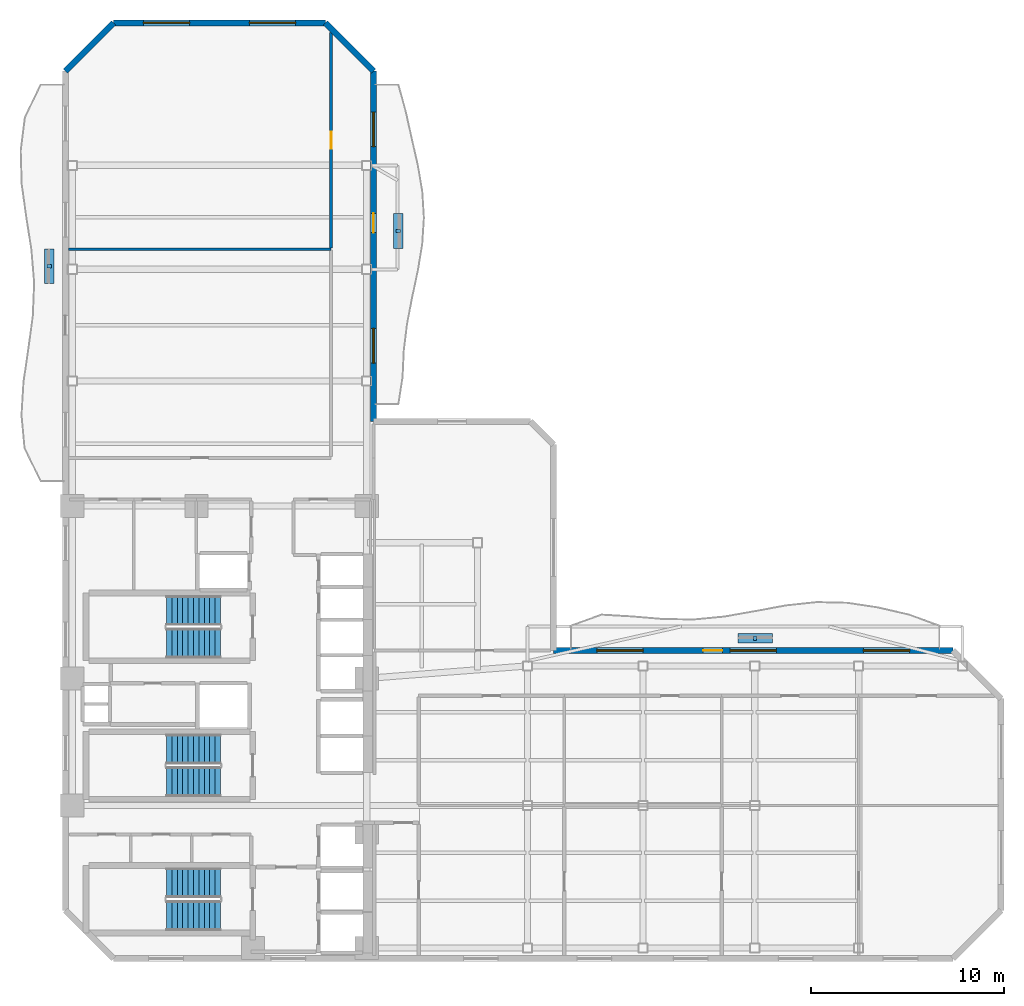
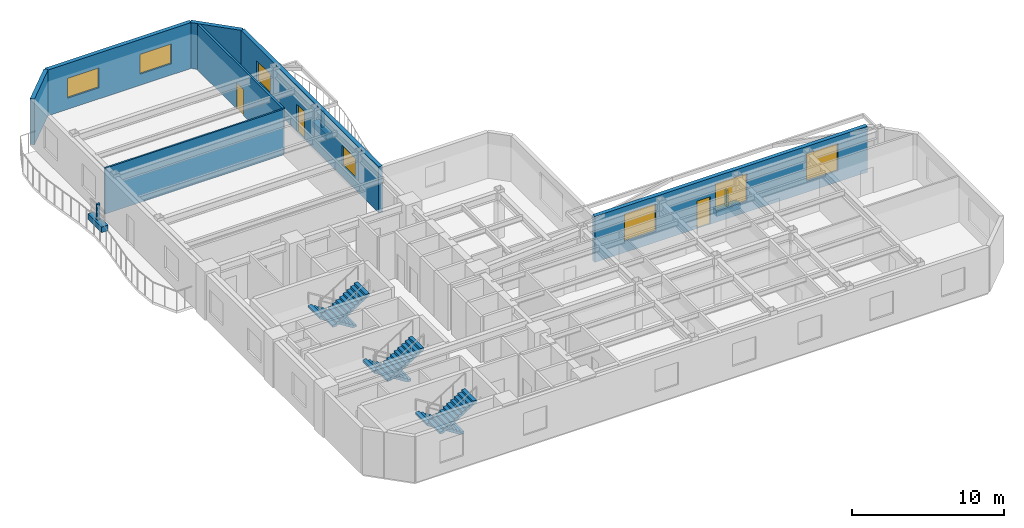
# One storey, part 6 of 9: 7 walls, 7 windows, 6 discrete accessories, 6 stair flights, 3 doors, 10 openings, 3 elements without a shape of their own.
"""IFC4 building model written with IfcOpenShell, lengths in metres."""

from ifc_helpers import new_model, si_unit, direction, frame, frame_2d, origin, origin_2d, place, context, subcontext, project, spatial, polyline, rectangle, outline, extrude, material, layer, layer_set, type_object, element, fill, aggregate, save


model = new_model("IFC4")

# Units and contexts
model_context = context("Model", 3, precision=1e-05, world=origin(), true_north=direction((0.0, 1.0)))
body_context = subcontext(model_context, "Body", "Model", "MODEL_VIEW")
ifc_project = project(units=[si_unit("LENGTHUNIT", "METRE"), si_unit("AREAUNIT", "SQUARE_METRE"), si_unit("VOLUMEUNIT", "CUBIC_METRE"), si_unit("PLANEANGLEUNIT", "RADIAN"), si_unit("MASSUNIT", "GRAM", prefix="KILO")], contexts=[model_context])

# Site, building, storey
site_placement = place(None, origin())
site = spatial("IfcSite", under=ifc_project, at=site_placement, CompositionType="ELEMENT")
building_placement = place(site_placement, origin())
building = spatial("IfcBuilding", under=site, at=building_placement, Name="Mawjaban Terraces University", CompositionType="ELEMENT")
storey_placement = place(building_placement, frame((0.0, 0.0, 126.800048828125)))
storey = spatial("IfcBuildingStorey", under=building, at=storey_placement, Name="L30", CompositionType="ELEMENT", Elevation=126.800048828125)

# Wall, opening, door
ifc_material_1 = material(Name="Fire-rated gypsum board on steel stud", Category="steel")
ifc_layer_1 = layer(ifc_material_1, 0.159912109375)
ifc_layer_set_1 = layer_set([ifc_layer_1], Name="Fire-rated gypsum board on steel stud")
wall_type_1 = type_object("IfcWallType", Name="CorridorPartition_160", PredefinedType="PARTITIONING", material=ifc_layer_set_1)
wall_1_placement = place(storey_placement, frame((35.800048828125, 48.094970703125, 0.0), z_axis=(0.0, 0.0, 1.0), x_axis=(0.0, -1.0, 0.0)))
wall_1 = element("IfcWall", 1, at=wall_1_placement, inside=storey, type_object=wall_type_1, Name="L30 Inner Terrace Gallery Corridor North Partition 35", PredefinedType="PARTITIONING", context=body_context, shape_type="SweptSolid", body=[
    extrude(rectangle(XDim=11.18798828125, YDim=0.159912109375, at=frame_2d((5.593994140625, 0.0))), origin(), (0.0, 0.0, 1.0), 3.68994140625),
])
opening_1_placement = place(wall_1_placement, frame((5.14404296875, 0.0, 0.0)))
opening_1 = element("IfcOpeningElement", 2, at=opening_1_placement, cuts=wall_1, Name="Opening ID-090", PredefinedType="OPENING", context=body_context, shape_type="SweptSolid", body=[
    extrude(rectangle(XDim=0.89990234375, YDim=2.10009765625, at=frame_2d((0.449951171875, 1.050048828125))), frame((0.0, 0.08984375, 0.0), z_axis=(0.0, -1.0, 0.0), x_axis=(1.0, 0.0, 0.0)), (0.0, 0.0, 1.0), 0.179931640625),
])
ifc_material_2 = material(Name="Powder-coated steel frame and solid acoustic timber leaf", Category="steel")
door_type_1 = type_object("IfcDoorType", Name="OfficeDoor_900x2100", OperationType="NOTDEFINED", PredefinedType="DOOR", material=ifc_material_2)
door_1_placement = place(opening_1_placement, origin())
door_1 = element("IfcDoor", 3, at=door_1_placement, inside=storey, type_object=door_type_1, Name="L30 Faculty Office 11 Door", OperationType="SINGLE_SWING_LEFT", OverallHeight=2.10009765625, OverallWidth=0.89990234375, PredefinedType="DOOR", context=body_context, shape_type="SweptSolid", body=[
    extrude(rectangle(XDim=0.89990234375, YDim=2.10009765625, at=frame_2d((0.449951171875, 1.050048828125))), frame((0.0, 0.02490234375, 0.0), z_axis=(0.0, -1.0, 0.0), x_axis=(1.0, 0.0, 0.0)), (0.0, 0.0, 1.0), 0.050048828125),
])
fill(opening_1, door_1)

# Wall, openings, door, windows
ifc_material_3 = material(Name="Insulated terracotta rainscreen on concrete backup C40/50", Category="masonry")
ifc_layer_2 = layer(ifc_material_3, 0.300048828125)
ifc_layer_set_2 = layer_set([ifc_layer_2], Name="Insulated terracotta rainscreen on concrete backup C40/50")
wall_type_2 = type_object("IfcWallType", Name="ExtTerracottaWall_300", PredefinedType="SOLIDWALL", material=ifc_layer_set_2)
wall_2_placement = place(storey_placement, frame((68.10009765625, 16.0, 0.0), z_axis=(0.0, 0.0, 1.0), x_axis=(-1.0, 0.0, 0.0)))
wall_2 = element("IfcWall", 4, at=wall_2_placement, inside=storey, type_object=wall_type_2, Name="L30 Exterior Terracotta Wall 5", PredefinedType="SOLIDWALL", context=body_context, shape_type="SweptSolid", body=[
    extrude(rectangle(XDim=20.7490234375, YDim=0.300048828125, at=frame_2d((10.37451171875, 0.0))), origin(), (0.0, 0.0, 1.0), 3.68994140625),
])
opening_2_placement = place(wall_2_placement, frame((11.97412109375, 0.0, 0.0)))
opening_2 = element("IfcOpeningElement", 5, at=opening_2_placement, cuts=wall_2, Name="Opening BD-100", PredefinedType="OPENING", context=body_context, shape_type="SweptSolid", body=[
    extrude(rectangle(XDim=1.0, YDim=2.199951171875, at=frame_2d((0.5, 1.10009765625))), frame((0.0, 0.159912109375, 0.0), z_axis=(0.0, -1.0, 0.0), x_axis=(1.0, 0.0, 0.0)), (0.0, 0.0, 1.0), 0.320068359375),
])
opening_3_placement = place(wall_2_placement, frame((2.258056640625, 0.0, 0.89990234375)))
opening_3 = element("IfcOpeningElement", 6, at=opening_3_placement, cuts=wall_2, Name="Opening W-11", PredefinedType="OPENING", context=body_context, shape_type="SweptSolid", body=[
    extrude(rectangle(XDim=2.39990234375, YDim=2.199951171875, at=frame_2d((1.199951171875, 1.10009765625))), frame((0.0, 0.159912109375, 0.0), z_axis=(0.0, -1.0, 0.0), x_axis=(1.0, 0.0, 0.0)), (0.0, 0.0, 1.0), 0.320068359375),
])
opening_4_placement = place(wall_2_placement, frame((9.174072265625, 0.0, 0.89990234375)))
opening_4 = element("IfcOpeningElement", 7, at=opening_4_placement, cuts=wall_2, Name="Opening W-11", PredefinedType="OPENING", context=body_context, shape_type="SweptSolid", body=[
    extrude(rectangle(XDim=2.39990234375, YDim=2.199951171875, at=frame_2d((1.199951171875, 1.10009765625))), frame((0.0, 0.159912109375, 0.0), z_axis=(0.0, -1.0, 0.0), x_axis=(1.0, 0.0, 0.0)), (0.0, 0.0, 1.0), 0.320068359375),
])
opening_5_placement = place(wall_2_placement, frame((16.091064453125, 0.0, 0.89990234375)))
opening_5 = element("IfcOpeningElement", 8, at=opening_5_placement, cuts=wall_2, Name="Opening W-11", PredefinedType="OPENING", context=body_context, shape_type="SweptSolid", body=[
    extrude(rectangle(XDim=2.39990234375, YDim=2.199951171875, at=frame_2d((1.199951171875, 1.10009765625))), frame((0.0, 0.159912109375, 0.0), z_axis=(0.0, -1.0, 0.0), x_axis=(1.0, 0.0, 0.0)), (0.0, 0.0, 1.0), 0.320068359375),
])
ifc_material_4 = material(Name="Thermally broken anodised aluminium and laminated safety glass", Category="aluminium")
door_type_2 = type_object("IfcDoorType", Name="BalconyGlazedDoor_1000x2200", OperationType="NOTDEFINED", PredefinedType="DOOR", material=ifc_material_4)
door_2_placement = place(opening_2_placement, origin())
door_2 = element("IfcDoor", 9, at=door_2_placement, inside=storey, type_object=door_type_2, Name="L30 Balcony Access Door inner_north", OperationType="SINGLE_SWING_LEFT", OverallHeight=2.199951171875, OverallWidth=1.0, PredefinedType="DOOR", context=body_context, shape_type="SweptSolid", body=[
    extrude(rectangle(XDim=1.0, YDim=2.199951171875, at=frame_2d((0.5, 1.10009765625))), frame((0.0, 0.02490234375, 0.0), z_axis=(0.0, -1.0, 0.0), x_axis=(1.0, 0.0, 0.0)), (0.0, 0.0, 1.0), 0.050048828125),
])
fill(opening_2, door_2)
ifc_material_5 = material(Name="Low-E solar-control double glazing in thermally broken aluminium frame", Category="aluminium")
window_type_1 = type_object("IfcWindowType", Name="Win_2400x2200", PartitioningType="SINGLE_PANEL", PredefinedType="WINDOW", material=ifc_material_5)
window_1_placement = place(opening_3_placement, origin())
window_1 = element("IfcWindow", 10, at=window_1_placement, inside=storey, type_object=window_type_1, Name="L30 Facade Window 5.1", OverallHeight=2.199951171875, OverallWidth=2.39990234375, PartitioningType="SINGLE_PANEL", PredefinedType="WINDOW", context=body_context, shape_type="SweptSolid", body=[
    extrude(rectangle(XDim=2.39990234375, YDim=2.199951171875, at=frame_2d((1.199951171875, 1.10009765625))), frame((0.0, 0.030029296875, 0.0), z_axis=(0.0, -1.0, 0.0), x_axis=(1.0, 0.0, 0.0)), (0.0, 0.0, 1.0), 0.06005859375),
])
fill(opening_3, window_1)
window_2_placement = place(opening_4_placement, origin())
window_2 = element("IfcWindow", 11, at=window_2_placement, inside=storey, type_object=window_type_1, Name="L30 Facade Window 5.2", OverallHeight=2.199951171875, OverallWidth=2.39990234375, PartitioningType="SINGLE_PANEL", PredefinedType="WINDOW", context=body_context, shape_type="SweptSolid", body=[
    extrude(rectangle(XDim=2.39990234375, YDim=2.199951171875, at=frame_2d((1.199951171875, 1.10009765625))), frame((0.0, 0.030029296875, 0.0), z_axis=(0.0, -1.0, 0.0), x_axis=(1.0, 0.0, 0.0)), (0.0, 0.0, 1.0), 0.06005859375),
])
fill(opening_4, window_2)
window_3_placement = place(opening_5_placement, origin())
window_3 = element("IfcWindow", 12, at=window_3_placement, inside=storey, type_object=window_type_1, Name="L30 Facade Window 5.3", OverallHeight=2.199951171875, OverallWidth=2.39990234375, PartitioningType="SINGLE_PANEL", PredefinedType="WINDOW", context=body_context, shape_type="SweptSolid", body=[
    extrude(rectangle(XDim=2.39990234375, YDim=2.199951171875, at=frame_2d((1.199951171875, 1.10009765625))), frame((0.0, 0.030029296875, 0.0), z_axis=(0.0, -1.0, 0.0), x_axis=(1.0, 0.0, 0.0)), (0.0, 0.0, 1.0), 0.06005859375),
])
fill(opening_5, window_3)

wall_3_placement = place(storey_placement, frame((38.0, 27.89990234375, 0.0), z_axis=(0.0, 0.0, 1.0), x_axis=(0.0, 1.0, 0.0)))
wall_3 = element("IfcWall", 13, at=wall_3_placement, inside=storey, type_object=wall_type_2, Name="L30 Exterior Terracotta Wall 9", PredefinedType="SOLIDWALL", context=body_context, shape_type="SweptSolid", body=[
    extrude(rectangle(XDim=18.2001953125, YDim=0.300048828125, at=frame_2d((9.10009765625, 0.0))), origin(), (0.0, 0.0, 1.0), 3.68994140625),
])
opening_6_placement = place(wall_3_placement, frame((9.800048828125, 0.0, 0.0)))
opening_6 = element("IfcOpeningElement", 14, at=opening_6_placement, cuts=wall_3, Name="Opening BD-100", PredefinedType="OPENING", context=body_context, shape_type="SweptSolid", body=[
    extrude(rectangle(XDim=1.0, YDim=2.199951171875, at=frame_2d((0.5, 1.10009765625))), frame((0.0, 0.159912109375, 0.0), z_axis=(0.0, -1.0, 0.0), x_axis=(1.0, 0.0, 0.0)), (0.0, 0.0, 1.0), 0.320068359375),
])
opening_7_placement = place(wall_3_placement, frame((3.032958984375, 0.0, 0.89990234375)))
opening_7 = element("IfcOpeningElement", 15, at=opening_7_placement, cuts=wall_3, Name="Opening W-03", PredefinedType="OPENING", context=body_context, shape_type="SweptSolid", body=[
    extrude(rectangle(XDim=1.800048828125, YDim=1.60009765625, at=frame_2d((0.89990234375, 0.800048828125))), frame((0.0, 0.159912109375, 0.0), z_axis=(0.0, -1.0, 0.0), x_axis=(1.0, 0.0, 0.0)), (0.0, 0.0, 1.0), 0.320068359375),
])
opening_8_placement = place(wall_3_placement, frame((14.26708984375, 0.0, 0.89990234375)))
opening_8 = element("IfcOpeningElement", 16, at=opening_8_placement, cuts=wall_3, Name="Opening W-03", PredefinedType="OPENING", context=body_context, shape_type="SweptSolid", body=[
    extrude(rectangle(XDim=1.800048828125, YDim=1.60009765625, at=frame_2d((0.89990234375, 0.800048828125))), frame((0.0, 0.159912109375, 0.0), z_axis=(0.0, -1.0, 0.0), x_axis=(1.0, 0.0, 0.0)), (0.0, 0.0, 1.0), 0.320068359375),
])
door_3_placement = place(opening_6_placement, origin())
door_3 = element("IfcDoor", 17, at=door_3_placement, inside=storey, type_object=door_type_2, Name="L30 Balcony Access Door inner_east", OperationType="SINGLE_SWING_LEFT", OverallHeight=2.199951171875, OverallWidth=1.0, PredefinedType="DOOR", context=body_context, shape_type="SweptSolid", body=[
    extrude(rectangle(XDim=1.0, YDim=2.199951171875, at=frame_2d((0.5, 1.10009765625))), frame((0.0, 0.02490234375, 0.0), z_axis=(0.0, -1.0, 0.0), x_axis=(1.0, 0.0, 0.0)), (0.0, 0.0, 1.0), 0.050048828125),
])
fill(opening_6, door_3)
window_type_2 = type_object("IfcWindowType", Name="Win_1800x1600", PartitioningType="SINGLE_PANEL", PredefinedType="WINDOW", material=ifc_material_5)
window_4_placement = place(opening_7_placement, origin())
window_4 = element("IfcWindow", 18, at=window_4_placement, inside=storey, type_object=window_type_2, Name="L30 Facade Window 9.1", OverallHeight=1.60009765625, OverallWidth=1.800048828125, PartitioningType="SINGLE_PANEL", PredefinedType="WINDOW", context=body_context, shape_type="SweptSolid", body=[
    extrude(rectangle(XDim=1.800048828125, YDim=1.60009765625, at=frame_2d((0.89990234375, 0.800048828125))), frame((0.0, 0.030029296875, 0.0), z_axis=(0.0, -1.0, 0.0), x_axis=(1.0, 0.0, 0.0)), (0.0, 0.0, 1.0), 0.06005859375),
])
fill(opening_7, window_4)
window_5_placement = place(opening_8_placement, origin())
window_5 = element("IfcWindow", 19, at=window_5_placement, inside=storey, type_object=window_type_2, Name="L30 Facade Window 9.3", OverallHeight=1.60009765625, OverallWidth=1.800048828125, PartitioningType="SINGLE_PANEL", PredefinedType="WINDOW", context=body_context, shape_type="SweptSolid", body=[
    extrude(rectangle(XDim=1.800048828125, YDim=1.60009765625, at=frame_2d((0.89990234375, 0.800048828125))), frame((0.0, 0.030029296875, 0.0), z_axis=(0.0, -1.0, 0.0), x_axis=(1.0, 0.0, 0.0)), (0.0, 0.0, 1.0), 0.06005859375),
])
fill(opening_8, window_5)

# Wall
wall_4_placement = place(storey_placement, frame((38.0, 46.10009765625, 0.0), z_axis=(0.0, 0.0, 1.0), x_axis=(-0.707106781187, 0.707106781187, 0.0)))
element("IfcWall", 20, at=wall_4_placement, inside=storey, type_object=wall_type_2, Name="L30 Exterior Terracotta Wall 10", PredefinedType="SOLIDWALL", context=body_context, shape_type="SweptSolid", body=[
    extrude(rectangle(XDim=3.53564453125, YDim=0.300048828125, at=frame_2d((1.767822265625, 0.0))), origin(), (0.0, 0.0, 1.0), 3.68994140625),
])

# Wall, openings, windows
wall_5_placement = place(storey_placement, frame((35.5, 48.60009765625, 0.0), z_axis=(0.0, 0.0, 1.0), x_axis=(-1.0, 0.0, 0.0)))
wall_5 = element("IfcWall", 21, at=wall_5_placement, inside=storey, type_object=wall_type_2, Name="L30 Exterior Terracotta Wall 11", PredefinedType="SOLIDWALL", context=body_context, shape_type="SweptSolid", body=[
    extrude(rectangle(XDim=11.0, YDim=0.300048828125, at=frame_2d((5.5, 0.0))), origin(), (0.0, 0.0, 1.0), 3.68994140625),
])
opening_9_placement = place(wall_5_placement, frame((1.550048828125, 0.0, 0.89990234375)))
opening_9 = element("IfcOpeningElement", 22, at=opening_9_placement, cuts=wall_5, Name="Opening W-05", PredefinedType="OPENING", context=body_context, shape_type="SweptSolid", body=[
    extrude(rectangle(XDim=2.39990234375, YDim=1.60009765625, at=frame_2d((1.199951171875, 0.800048828125))), frame((0.0, 0.159912109375, 0.0), z_axis=(0.0, -1.0, 0.0), x_axis=(1.0, 0.0, 0.0)), (0.0, 0.0, 1.0), 0.320068359375),
])
opening_10_placement = place(wall_5_placement, frame((7.050048828125, 0.0, 0.89990234375)))
opening_10 = element("IfcOpeningElement", 23, at=opening_10_placement, cuts=wall_5, Name="Opening W-05", PredefinedType="OPENING", context=body_context, shape_type="SweptSolid", body=[
    extrude(rectangle(XDim=2.39990234375, YDim=1.60009765625, at=frame_2d((1.199951171875, 0.800048828125))), frame((0.0, 0.159912109375, 0.0), z_axis=(0.0, -1.0, 0.0), x_axis=(1.0, 0.0, 0.0)), (0.0, 0.0, 1.0), 0.320068359375),
])
window_type_3 = type_object("IfcWindowType", Name="Win_2400x1600", PartitioningType="SINGLE_PANEL", PredefinedType="WINDOW", material=ifc_material_5)
window_6_placement = place(opening_9_placement, origin())
window_6 = element("IfcWindow", 24, at=window_6_placement, inside=storey, type_object=window_type_3, Name="L30 Facade Window 11.1", OverallHeight=1.60009765625, OverallWidth=2.39990234375, PartitioningType="SINGLE_PANEL", PredefinedType="WINDOW", context=body_context, shape_type="SweptSolid", body=[
    extrude(rectangle(XDim=2.39990234375, YDim=1.60009765625, at=frame_2d((1.199951171875, 0.800048828125))), frame((0.0, 0.030029296875, 0.0), z_axis=(0.0, -1.0, 0.0), x_axis=(1.0, 0.0, 0.0)), (0.0, 0.0, 1.0), 0.06005859375),
])
fill(opening_9, window_6)
window_7_placement = place(opening_10_placement, origin())
window_7 = element("IfcWindow", 25, at=window_7_placement, inside=storey, type_object=window_type_3, Name="L30 Facade Window 11.2", OverallHeight=1.60009765625, OverallWidth=2.39990234375, PartitioningType="SINGLE_PANEL", PredefinedType="WINDOW", context=body_context, shape_type="SweptSolid", body=[
    extrude(rectangle(XDim=2.39990234375, YDim=1.60009765625, at=frame_2d((1.199951171875, 0.800048828125))), frame((0.0, 0.030029296875, 0.0), z_axis=(0.0, -1.0, 0.0), x_axis=(1.0, 0.0, 0.0)), (0.0, 0.0, 1.0), 0.06005859375),
])
fill(opening_10, window_7)

# Walls
wall_6_placement = place(storey_placement, frame((24.5, 48.60009765625, 0.0), z_axis=(0.0, 0.0, 1.0), x_axis=(-0.707106781187, -0.707106781187, 0.0)))
element("IfcWall", 26, at=wall_6_placement, inside=storey, type_object=wall_type_2, Name="L30 Exterior Terracotta Wall 12", PredefinedType="SOLIDWALL", context=body_context, shape_type="SweptSolid", body=[
    extrude(rectangle(XDim=3.53564453125, YDim=0.300048828125, at=frame_2d((1.767822265625, 0.0))), origin(), (0.0, 0.0, 1.0), 3.68994140625),
])
ifc_material_6 = material(Name="Gypsum plasterboard on steel stud", Category="steel")
ifc_layer_3 = layer(ifc_material_6, 0.125)
ifc_layer_set_3 = layer_set([ifc_layer_3], Name="Gypsum plasterboard on steel stud")
wall_type_3 = type_object("IfcWallType", Name="OfficePartition_125", PredefinedType="PARTITIONING", material=ifc_layer_set_3)
wall_7_placement = place(storey_placement, frame((35.800048828125, 36.85009765625, 0.0), z_axis=(0.0, 0.0, 1.0), x_axis=(-1.0, 0.0, 0.0)))
element("IfcWall", 27, at=wall_7_placement, inside=storey, type_object=wall_type_3, Name="L30 Seminar Room 10 Partition 13", PredefinedType="PARTITIONING", context=body_context, shape_type="SweptSolid", body=[
    extrude(rectangle(XDim=13.655029296875, YDim=0.125, at=frame_2d((6.82763671875, 0.0))), origin(), (0.0, 0.0, 1.0), 3.68994140625),
])

# Stair, stair flights
ifc_material_7 = material(Name="Concrete C40/50", Category="concrete")
stair_type = type_object("IfcStairType", Name="Stair_Core1550_H39", PredefinedType="HALF_TURN_STAIR", material=ifc_material_7)
stair_1_placement = place(storey_placement, origin())
stair_1 = element("IfcStair", 28, at=stair_1_placement, inside=storey, type_object=stair_type, Name="L30 Core Exit Stair 1", PredefinedType="HALF_TURN_STAIR")
stair_flight_type = type_object("IfcStairFlightType", Name="Flight_Core1550_H39", PredefinedType="STRAIGHT", material=ifc_material_7)
stair_flight_1_placement = place(storey_placement, frame((30.050048828125, 3.925048828125, 0.0), z_axis=(0.0, 0.0, 1.0), x_axis=(-1.0, 0.0, 0.0)))
stair_flight_1 = element("IfcStairFlight", 29, at=stair_flight_1_placement, type_object=stair_flight_type, Name="ST-1 flight 1", NumberOfRisers=11, NumberOfTreads=10, PredefinedType="STRAIGHT", RiserHeight=0.177272727, TreadLength=0.28, context=body_context, shape_type="SweptSolid", body=[
    extrude(outline(polyline([(0.0, 0.0), (0.0, 0.17724609375), (0.280029296875, 0.17724609375), (0.280029296875, 0.3544921875), (0.56005859375, 0.3544921875), (0.56005859375, 0.53173828125), (0.840087890625, 0.53173828125), (0.840087890625, 0.708984375), (1.1201171875, 0.708984375), (1.1201171875, 0.886474609375), (1.39990234375, 0.886474609375), (1.39990234375, 1.063720703125), (1.679931640625, 1.063720703125), (1.679931640625, 1.240966796875), (1.9599609375, 1.240966796875), (1.9599609375, 1.418212890625), (2.239990234375, 1.418212890625), (2.239990234375, 1.595458984375), (2.52001953125, 1.595458984375), (2.52001953125, 1.772705078125), (2.800048828125, 1.772705078125), (2.800048828125, 1.949951171875), (2.800048828125, 1.59521484375), (0.2802734375, 0.0), (0.0, 0.0)])), frame((0.0, 0.77490234375, 0.0), z_axis=(0.0, -1.0, 0.0), x_axis=(1.0, 0.0, 0.0)), (0.0, 0.0, 1.0), 1.550048828125),
])
stair_flight_2_placement = place(storey_placement, frame((27.25, 2.22509765625, 1.949951171875), z_axis=(0.0, 0.0, 1.0), x_axis=(1.0, 0.0, 0.0)))
stair_flight_2 = element("IfcStairFlight", 30, at=stair_flight_2_placement, type_object=stair_flight_type, Name="ST-1 flight 2", NumberOfRisers=11, NumberOfTreads=10, PredefinedType="STRAIGHT", RiserHeight=0.177272727, TreadLength=0.28, context=body_context, shape_type="SweptSolid", body=[
    extrude(outline(polyline([(0.0, 0.0), (0.0, 0.17724609375), (0.280029296875, 0.17724609375), (0.280029296875, 0.3544921875), (0.56005859375, 0.3544921875), (0.56005859375, 0.53173828125), (0.840087890625, 0.53173828125), (0.840087890625, 0.708984375), (1.1201171875, 0.708984375), (1.1201171875, 0.886474609375), (1.39990234375, 0.886474609375), (1.39990234375, 1.063720703125), (1.679931640625, 1.063720703125), (1.679931640625, 1.240966796875), (1.9599609375, 1.240966796875), (1.9599609375, 1.418212890625), (2.239990234375, 1.418212890625), (2.239990234375, 1.595458984375), (2.52001953125, 1.595458984375), (2.52001953125, 1.772705078125), (2.800048828125, 1.772705078125), (2.800048828125, 1.949951171875), (2.800048828125, 1.59521484375), (0.2802734375, 0.0), (0.0, 0.0)])), frame((0.0, 0.77490234375, 0.0), z_axis=(0.0, -1.0, 0.0), x_axis=(1.0, 0.0, 0.0)), (0.0, 0.0, 1.0), 1.550048828125),
])
aggregate(stair_1, [stair_flight_1, stair_flight_2])

stair_2_placement = place(storey_placement, origin())
stair_2 = element("IfcStair", 31, at=stair_2_placement, inside=storey, type_object=stair_type, Name="L30 Core Exit Stair 2", PredefinedType="HALF_TURN_STAIR")
stair_flight_3_placement = place(storey_placement, frame((30.050048828125, 18.074951171875, 0.0), z_axis=(0.0, 0.0, 1.0), x_axis=(-1.0, 0.0, 0.0)))
stair_flight_3 = element("IfcStairFlight", 32, at=stair_flight_3_placement, type_object=stair_flight_type, Name="ST-2 flight 1", NumberOfRisers=11, NumberOfTreads=10, PredefinedType="STRAIGHT", RiserHeight=0.177272727, TreadLength=0.28, context=body_context, shape_type="SweptSolid", body=[
    extrude(outline(polyline([(0.0, 0.0), (0.0, 0.17724609375), (0.280029296875, 0.17724609375), (0.280029296875, 0.3544921875), (0.56005859375, 0.3544921875), (0.56005859375, 0.53173828125), (0.840087890625, 0.53173828125), (0.840087890625, 0.708984375), (1.1201171875, 0.708984375), (1.1201171875, 0.886474609375), (1.39990234375, 0.886474609375), (1.39990234375, 1.063720703125), (1.679931640625, 1.063720703125), (1.679931640625, 1.240966796875), (1.9599609375, 1.240966796875), (1.9599609375, 1.418212890625), (2.239990234375, 1.418212890625), (2.239990234375, 1.595458984375), (2.52001953125, 1.595458984375), (2.52001953125, 1.772705078125), (2.800048828125, 1.772705078125), (2.800048828125, 1.949951171875), (2.800048828125, 1.59521484375), (0.2802734375, 0.0), (0.0, 0.0)])), frame((0.0, 0.77490234375, 0.0), z_axis=(0.0, -1.0, 0.0), x_axis=(1.0, 0.0, 0.0)), (0.0, 0.0, 1.0), 1.550048828125),
])
stair_flight_4_placement = place(storey_placement, frame((27.25, 16.375, 1.949951171875), z_axis=(0.0, 0.0, 1.0), x_axis=(1.0, 0.0, 0.0)))
stair_flight_4 = element("IfcStairFlight", 33, at=stair_flight_4_placement, type_object=stair_flight_type, Name="ST-2 flight 2", NumberOfRisers=11, NumberOfTreads=10, PredefinedType="STRAIGHT", RiserHeight=0.177272727, TreadLength=0.28, context=body_context, shape_type="SweptSolid", body=[
    extrude(outline(polyline([(0.0, 0.0), (0.0, 0.17724609375), (0.280029296875, 0.17724609375), (0.280029296875, 0.3544921875), (0.56005859375, 0.3544921875), (0.56005859375, 0.53173828125), (0.840087890625, 0.53173828125), (0.840087890625, 0.708984375), (1.1201171875, 0.708984375), (1.1201171875, 0.886474609375), (1.39990234375, 0.886474609375), (1.39990234375, 1.063720703125), (1.679931640625, 1.063720703125), (1.679931640625, 1.240966796875), (1.9599609375, 1.240966796875), (1.9599609375, 1.418212890625), (2.239990234375, 1.418212890625), (2.239990234375, 1.595458984375), (2.52001953125, 1.595458984375), (2.52001953125, 1.772705078125), (2.800048828125, 1.772705078125), (2.800048828125, 1.949951171875), (2.800048828125, 1.59521484375), (0.2802734375, 0.0), (0.0, 0.0)])), frame((0.0, 0.77490234375, 0.0), z_axis=(0.0, -1.0, 0.0), x_axis=(1.0, 0.0, 0.0)), (0.0, 0.0, 1.0), 1.550048828125),
])
aggregate(stair_2, [stair_flight_3, stair_flight_4])

stair_3_placement = place(storey_placement, origin())
stair_3 = element("IfcStair", 34, at=stair_3_placement, inside=storey, type_object=stair_type, Name="L30 Core Exit Stair 3", PredefinedType="HALF_TURN_STAIR")
stair_flight_5_placement = place(storey_placement, frame((30.050048828125, 10.875, 0.0), z_axis=(0.0, 0.0, 1.0), x_axis=(-1.0, 0.0, 0.0)))
stair_flight_5 = element("IfcStairFlight", 35, at=stair_flight_5_placement, type_object=stair_flight_type, Name="ST-3 flight 1", NumberOfRisers=11, NumberOfTreads=10, PredefinedType="STRAIGHT", RiserHeight=0.177272727, TreadLength=0.28, context=body_context, shape_type="SweptSolid", body=[
    extrude(outline(polyline([(0.0, 0.0), (0.0, 0.17724609375), (0.280029296875, 0.17724609375), (0.280029296875, 0.3544921875), (0.56005859375, 0.3544921875), (0.56005859375, 0.53173828125), (0.840087890625, 0.53173828125), (0.840087890625, 0.708984375), (1.1201171875, 0.708984375), (1.1201171875, 0.886474609375), (1.39990234375, 0.886474609375), (1.39990234375, 1.063720703125), (1.679931640625, 1.063720703125), (1.679931640625, 1.240966796875), (1.9599609375, 1.240966796875), (1.9599609375, 1.418212890625), (2.239990234375, 1.418212890625), (2.239990234375, 1.595458984375), (2.52001953125, 1.595458984375), (2.52001953125, 1.772705078125), (2.800048828125, 1.772705078125), (2.800048828125, 1.949951171875), (2.800048828125, 1.59521484375), (0.2802734375, 0.0), (0.0, 0.0)])), frame((0.0, 0.77490234375, 0.0), z_axis=(0.0, -1.0, 0.0), x_axis=(1.0, 0.0, 0.0)), (0.0, 0.0, 1.0), 1.550048828125),
])
stair_flight_6_placement = place(storey_placement, frame((27.25, 9.175048828125, 1.949951171875), z_axis=(0.0, 0.0, 1.0), x_axis=(1.0, 0.0, 0.0)))
stair_flight_6 = element("IfcStairFlight", 36, at=stair_flight_6_placement, type_object=stair_flight_type, Name="ST-3 flight 2", NumberOfRisers=11, NumberOfTreads=10, PredefinedType="STRAIGHT", RiserHeight=0.177272727, TreadLength=0.28, context=body_context, shape_type="SweptSolid", body=[
    extrude(outline(polyline([(0.0, 0.0), (0.0, 0.17724609375), (0.280029296875, 0.17724609375), (0.280029296875, 0.3544921875), (0.56005859375, 0.3544921875), (0.56005859375, 0.53173828125), (0.840087890625, 0.53173828125), (0.840087890625, 0.708984375), (1.1201171875, 0.708984375), (1.1201171875, 0.886474609375), (1.39990234375, 0.886474609375), (1.39990234375, 1.063720703125), (1.679931640625, 1.063720703125), (1.679931640625, 1.240966796875), (1.9599609375, 1.240966796875), (1.9599609375, 1.418212890625), (2.239990234375, 1.418212890625), (2.239990234375, 1.595458984375), (2.52001953125, 1.595458984375), (2.52001953125, 1.772705078125), (2.800048828125, 1.772705078125), (2.800048828125, 1.949951171875), (2.800048828125, 1.59521484375), (0.2802734375, 0.0), (0.0, 0.0)])), frame((0.0, 0.77490234375, 0.0), z_axis=(0.0, -1.0, 0.0), x_axis=(1.0, 0.0, 0.0)), (0.0, 0.0, 1.0), 1.550048828125),
])
aggregate(stair_3, [stair_flight_5, stair_flight_6])

# Discrete accessories
ifc_material_8 = material(Name="Stainless steel 316L", Category="steel")
discrete_accessory_type_1 = type_object("IfcDiscreteAccessoryType", Name="FacadeScreenBracket_Steel", PredefinedType="BRACKET", material=ifc_material_8)
for number, where, z_axis, x_axis, name in (
    (37, (21.14892578125, 35.958984375, 0.419921875), (0.0, 0.0, 1.0), (0.0, 1.0, 0.0), "L30 Balcony Screen Support Bracket west"),
    (38, (57.825927734375, 16.64501953125, 0.419921875), (0.0, 0.0, 1.0), (1.0, 0.0, 0.0), "L30 Balcony Screen Support Bracket inner_north"),
    (39, (39.2880859375, 37.791015625, 0.419921875), (0.0, 0.0, 1.0), (0.0, 1.0, 0.0), "L30 Balcony Screen Support Bracket inner_east"),
):
    element("IfcDiscreteAccessory", number, at=place(storey_placement, frame(where, z_axis=z_axis, x_axis=x_axis)), inside=storey, type_object=discrete_accessory_type_1, Name=name, PredefinedType="BRACKET", context=body_context, shape_type="SweptSolid", body=[
        extrude(rectangle(XDim=0.159912109375, YDim=0.239990234375, at=origin_2d()), origin(), (0.0, 0.0, 1.0), 1.300048828125),
    ])
ifc_material_9 = material(Name="Precast architectural terracotta planter with engineered planting soil", Category="masonry")
discrete_accessory_type_2 = type_object("IfcDiscreteAccessoryType", Name="IrrigatedPlanterTrough_450", PredefinedType="USERDEFINED", material=ifc_material_9)
for number, where, z_axis, x_axis, name in (
    (40, (21.14892578125, 35.958984375, -0.0048828125), (0.0, 0.0, 1.0), (0.0, 1.0, 0.0), "L30 Balcony Irrigated Planter west"),
    (41, (57.825927734375, 16.64501953125, -0.0048828125), (0.0, 0.0, 1.0), (1.0, 0.0, 0.0), "L30 Balcony Irrigated Planter inner_north"),
    (42, (39.2880859375, 37.791015625, -0.0048828125), (0.0, 0.0, 1.0), (0.0, 1.0, 0.0), "L30 Balcony Irrigated Planter inner_east"),
):
    element("IfcDiscreteAccessory", number, at=place(storey_placement, frame(where, z_axis=z_axis, x_axis=x_axis)), inside=storey, type_object=discrete_accessory_type_2, Name=name, ObjectType="PLANTER", PredefinedType="USERDEFINED", context=body_context, shape_type="SweptSolid", body=[
        extrude(rectangle(XDim=1.800048828125, YDim=0.5, at=origin_2d()), origin(), (0.0, 0.0, 1.0), 0.449951171875),
    ])

save(model, "model.ifc")
